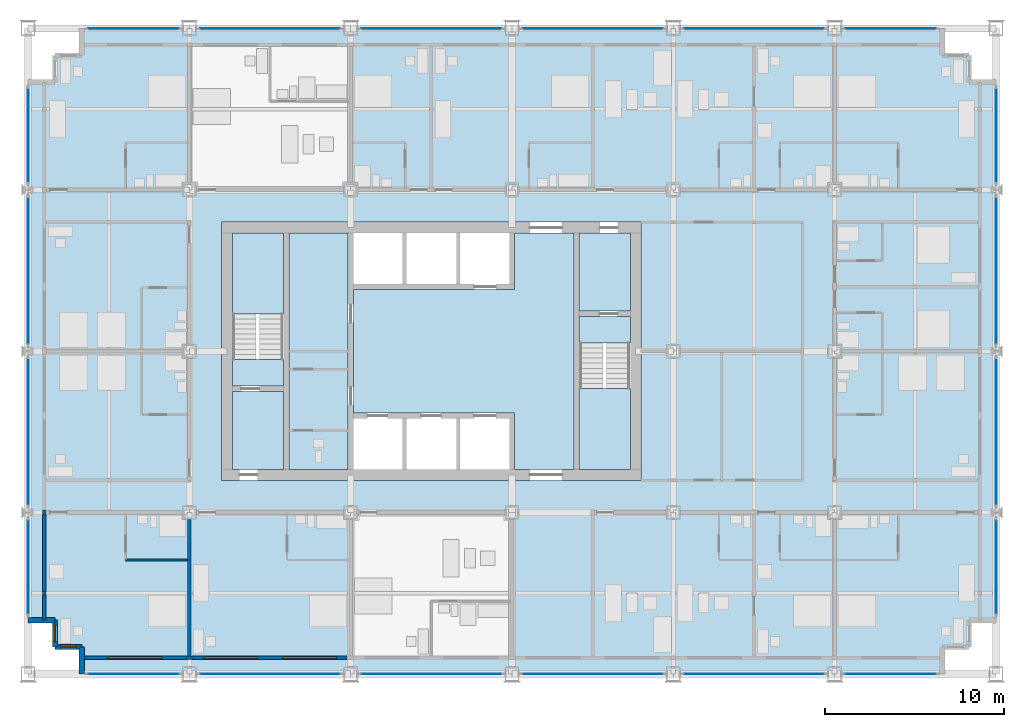
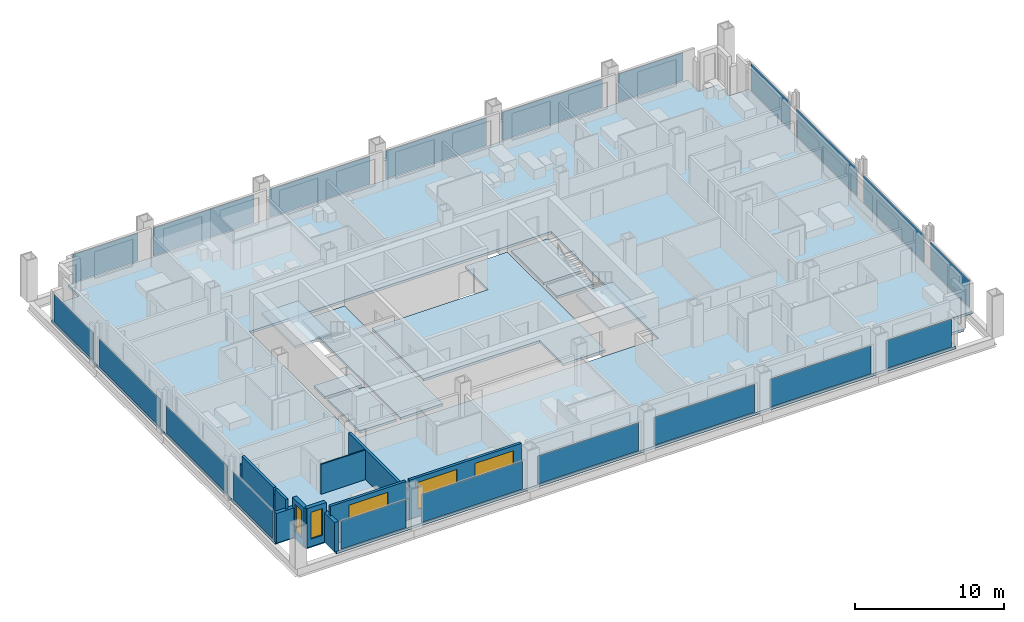
# One storey, part 9 of 18: 20 plates, 13 walls, 9 slabs, 5 windows, 5 openings, 22 elements without a shape of their own.
"""IFC4 building model written with IfcOpenShell, lengths in metres."""

from ifc_helpers import new_model, si_unit, direction, frame, frame_2d, origin, origin_2d, place, context, subcontext, project, spatial, polyline, rectangle, outline, extrude, material, layer, layer_set, type_object, element, fill, aggregate, save


model = new_model("IFC4")

# Units and contexts
model_context = context("Model", 3, precision=1e-05, world=origin(), true_north=direction((0.0, 1.0)))
body_context = subcontext(model_context, "Body", "Model", "MODEL_VIEW")
ifc_project = project(units=[si_unit("LENGTHUNIT", "METRE"), si_unit("AREAUNIT", "SQUARE_METRE"), si_unit("VOLUMEUNIT", "CUBIC_METRE"), si_unit("PLANEANGLEUNIT", "RADIAN"), si_unit("MASSUNIT", "GRAM", prefix="KILO")], contexts=[model_context])

# Site, building, storey
site_placement = place(None, origin())
site = spatial("IfcSite", under=ifc_project, at=site_placement, CompositionType="ELEMENT")
building_placement = place(site_placement, origin())
building = spatial("IfcBuilding", under=site, at=building_placement, Name="Loomwork Tower", CompositionType="ELEMENT")
storey_placement = place(building_placement, frame((0.0, 0.0, 75.60009765625)))
storey = spatial("IfcBuildingStorey", under=building, at=storey_placement, Name="L19", CompositionType="ELEMENT", Elevation=75.60009765625)

# Slabs
ifc_material_1 = material(Name="Concrete 5000 psi (34 MPa) on composite metal deck", Category="concrete")
ifc_layer_1 = layer(ifc_material_1, 0.199951171875)
ifc_layer_set_1 = layer_set([ifc_layer_1], Name="Floor slab 200")
slab_type_1 = type_object("IfcSlabType", Name="Floor slab 200", PredefinedType="FLOOR", material=ifc_layer_set_1)
slab_1_placement = place(storey_placement, frame((0.0, 0.0, -0.2001953125)))
element("IfcSlab", 1, at=slab_1_placement, inside=storey, type_object=slab_type_1, Name="Floor slab L19", PredefinedType="FLOOR", context=body_context, shape_type="SweptSolid", body=[
    extrude(outline(polyline([(3.0, 1.5), (1.5, 1.5), (1.5, 3.0), (0.0, 3.0), (0.0, 33.0), (1.5, 33.0), (1.5, 34.5), (3.0, 34.5), (3.0, 36.0), (51.0, 36.0), (51.0, 34.5), (52.5, 34.5), (52.5, 33.0), (54.0, 33.0), (54.0, 3.0), (52.5, 3.0), (52.5, 1.5), (51.0, 1.5), (51.0, 0.0), (3.0, 0.0), (3.0, 1.5)]), holes=[polyline([(10.800048828125, 11.39990234375), (10.800048828125, 11.39990234375), (10.800048828125, 10.800048828125), (34.199951171875, 10.800048828125), (34.199951171875, 11.39990234375), (34.199951171875, 11.39990234375), (34.199951171875, 24.60009765625), (34.199951171875, 25.199951171875), (10.800048828125, 25.199951171875), (10.800048828125, 24.60009765625), (10.800048828125, 11.39990234375)])]), origin(), (0.0, 0.0, 1.0), 0.2001953125),
])
slab_2_placement = place(storey_placement, frame((0.0, 0.0, -0.2001953125)))
element("IfcSlab", 2, at=slab_2_placement, inside=storey, type_object=slab_type_1, Name="Floor slab L19", PredefinedType="FLOOR", context=body_context, shape_type="SweptSolid", body=[
    extrude(outline(polyline([(30.449951171875, 24.60009765625), (30.449951171875, 11.39990234375), (27.14990234375, 11.39990234375), (27.14990234375, 14.25), (27.14990234375, 14.550048828125), (18.14990234375, 14.550048828125), (18.14990234375, 21.449951171875), (27.14990234375, 21.449951171875), (27.14990234375, 21.75), (27.14990234375, 24.60009765625), (30.449951171875, 24.60009765625)])), origin(), (0.0, 0.0, 1.0), 0.2001953125),
])
slab_3_placement = place(storey_placement, frame((0.0, 0.0, -0.2001953125)))
element("IfcSlab", 3, at=slab_3_placement, inside=storey, type_object=slab_type_1, Name="Floor slab L19", PredefinedType="FLOOR", context=body_context, shape_type="SweptSolid", body=[
    extrude(outline(polyline([(14.550048828125, 11.39990234375), (14.550048828125, 24.60009765625), (17.85009765625, 24.60009765625), (17.85009765625, 11.39990234375), (14.550048828125, 11.39990234375)])), origin(), (0.0, 0.0, 1.0), 0.2001953125),
])
slab_4_placement = place(storey_placement, frame((0.0, 0.0, -0.2001953125)))
element("IfcSlab", 4, at=slab_4_placement, inside=storey, type_object=slab_type_1, Name="Floor slab L19", PredefinedType="FLOOR", context=body_context, shape_type="SweptSolid", body=[
    extrude(outline(polyline([(33.60009765625, 20.25), (30.75, 20.25), (30.75, 24.60009765625), (33.60009765625, 24.60009765625), (33.60009765625, 20.25)])), origin(), (0.0, 0.0, 1.0), 0.2001953125),
])
slab_5_placement = place(storey_placement, frame((0.0, 0.0, -0.2001953125)))
element("IfcSlab", 5, at=slab_5_placement, inside=storey, type_object=slab_type_1, Name="Floor slab L19", PredefinedType="FLOOR", context=body_context, shape_type="SweptSolid", body=[
    extrude(outline(polyline([(14.25, 15.75), (14.25, 11.39990234375), (11.39990234375, 11.39990234375), (11.39990234375, 15.75), (14.25, 15.75)])), origin(), (0.0, 0.0, 1.0), 0.2001953125),
])

# Curtain wall, plate
ifc_material_2 = material(Name="Aluminium curtain wall frame", Category="aluminium")
curtain_wall_type = type_object("IfcCurtainWallType", Name="Outer skin glazing hotel", PredefinedType="NOTDEFINED", material=ifc_material_2)
curtain_wall_1_placement = place(storey_placement, origin())
curtain_wall_1 = element("IfcCurtainWall", 6, at=curtain_wall_1_placement, inside=storey, type_object=curtain_wall_type, Name="Outer skin glazing hotel cw/S-0", PredefinedType="NOTDEFINED")
ifc_material_3 = material(Name="Clear laminated glass", Category="glass")
ifc_layer_2 = layer(ifc_material_3, 0.02392578125)
ifc_layer_set_2 = layer_set([ifc_layer_2], Name="Outer skin glazing hotel panel")
plate_type = type_object("IfcPlateType", Name="Outer skin glazing hotel panel", PredefinedType="CURTAIN_PANEL", material=ifc_layer_set_2)
plate_1_placement = place(storey_placement, frame((5.875, 0.0, 0.06494140625), z_axis=(0.0, 0.0, 1.0), x_axis=(1.0, 0.0, 0.0)))
plate_1 = element("IfcPlate", 7, at=plate_1_placement, type_object=plate_type, Name="CW1 panel 1.1", PredefinedType="CURTAIN_PANEL", context=body_context, shape_type="SweptSolid", body=[
    extrude(rectangle(XDim=5.050048828125, YDim=0.02392578125, at=origin_2d()), origin(), (0.0, 0.0, 1.0), 2.290283203125),
])
aggregate(curtain_wall_1, [plate_1])

curtain_wall_2_placement = place(storey_placement, origin())
curtain_wall_2 = element("IfcCurtainWall", 8, at=curtain_wall_2_placement, inside=storey, type_object=curtain_wall_type, Name="Outer skin glazing hotel cw/S-9", PredefinedType="NOTDEFINED")
plate_2_placement = place(storey_placement, frame((13.5, 0.0, 0.06494140625), z_axis=(0.0, 0.0, 1.0), x_axis=(1.0, 0.0, 0.0)))
plate_2 = element("IfcPlate", 9, at=plate_2_placement, type_object=plate_type, Name="CW1 panel 1.1", PredefinedType="CURTAIN_PANEL", context=body_context, shape_type="SweptSolid", body=[
    extrude(rectangle(XDim=7.800048828125, YDim=0.02392578125, at=origin_2d()), origin(), (0.0, 0.0, 1.0), 2.290283203125),
])
aggregate(curtain_wall_2, [plate_2])

curtain_wall_3_placement = place(storey_placement, origin())
curtain_wall_3 = element("IfcCurtainWall", 10, at=curtain_wall_3_placement, inside=storey, type_object=curtain_wall_type, Name="Outer skin glazing hotel cw/S-18", PredefinedType="NOTDEFINED")
plate_3_placement = place(storey_placement, frame((22.5, 0.0, 0.06494140625), z_axis=(0.0, 0.0, 1.0), x_axis=(1.0, 0.0, 0.0)))
plate_3 = element("IfcPlate", 11, at=plate_3_placement, type_object=plate_type, Name="CW1 panel 1.1", PredefinedType="CURTAIN_PANEL", context=body_context, shape_type="SweptSolid", body=[
    extrude(rectangle(XDim=7.800048828125, YDim=0.02392578125, at=origin_2d()), origin(), (0.0, 0.0, 1.0), 2.290283203125),
])
aggregate(curtain_wall_3, [plate_3])

curtain_wall_4_placement = place(storey_placement, origin())
curtain_wall_4 = element("IfcCurtainWall", 12, at=curtain_wall_4_placement, inside=storey, type_object=curtain_wall_type, Name="Outer skin glazing hotel cw/S-27", PredefinedType="NOTDEFINED")
plate_4_placement = place(storey_placement, frame((31.5, 0.0, 0.06494140625), z_axis=(0.0, 0.0, 1.0), x_axis=(1.0, 0.0, 0.0)))
plate_4 = element("IfcPlate", 13, at=plate_4_placement, type_object=plate_type, Name="CW1 panel 1.1", PredefinedType="CURTAIN_PANEL", context=body_context, shape_type="SweptSolid", body=[
    extrude(rectangle(XDim=7.800048828125, YDim=0.02392578125, at=origin_2d()), origin(), (0.0, 0.0, 1.0), 2.290283203125),
])
aggregate(curtain_wall_4, [plate_4])

curtain_wall_5_placement = place(storey_placement, origin())
curtain_wall_5 = element("IfcCurtainWall", 14, at=curtain_wall_5_placement, inside=storey, type_object=curtain_wall_type, Name="Outer skin glazing hotel cw/S-36", PredefinedType="NOTDEFINED")
plate_5_placement = place(storey_placement, frame((40.5, 0.0, 0.06494140625), z_axis=(0.0, 0.0, 1.0), x_axis=(1.0, 0.0, 0.0)))
plate_5 = element("IfcPlate", 15, at=plate_5_placement, type_object=plate_type, Name="CW1 panel 1.1", PredefinedType="CURTAIN_PANEL", context=body_context, shape_type="SweptSolid", body=[
    extrude(rectangle(XDim=7.800048828125, YDim=0.02392578125, at=origin_2d()), origin(), (0.0, 0.0, 1.0), 2.290283203125),
])
aggregate(curtain_wall_5, [plate_5])

curtain_wall_6_placement = place(storey_placement, origin())
curtain_wall_6 = element("IfcCurtainWall", 16, at=curtain_wall_6_placement, inside=storey, type_object=curtain_wall_type, Name="Outer skin glazing hotel cw/S-45", PredefinedType="NOTDEFINED")
plate_6_placement = place(storey_placement, frame((48.125, 0.0, 0.06494140625), z_axis=(0.0, 0.0, 1.0), x_axis=(1.0, 0.0, 0.0)))
plate_6 = element("IfcPlate", 17, at=plate_6_placement, type_object=plate_type, Name="CW1 panel 1.1", PredefinedType="CURTAIN_PANEL", context=body_context, shape_type="SweptSolid", body=[
    extrude(rectangle(XDim=5.050048828125, YDim=0.02392578125, at=origin_2d()), origin(), (0.0, 0.0, 1.0), 2.290283203125),
])
aggregate(curtain_wall_6, [plate_6])

curtain_wall_7_placement = place(storey_placement, origin())
curtain_wall_7 = element("IfcCurtainWall", 18, at=curtain_wall_7_placement, inside=storey, type_object=curtain_wall_type, Name="Outer skin glazing hotel cw/N-0", PredefinedType="NOTDEFINED")
plate_7_placement = place(storey_placement, frame((5.875, 36.0, 0.06494140625), z_axis=(0.0, 0.0, 1.0), x_axis=(-1.0, 0.0, 0.0)))
plate_7 = element("IfcPlate", 19, at=plate_7_placement, type_object=plate_type, Name="CW1 panel 1.1", PredefinedType="CURTAIN_PANEL", context=body_context, shape_type="SweptSolid", body=[
    extrude(rectangle(XDim=5.050048828125, YDim=0.02392578125, at=origin_2d()), origin(), (0.0, 0.0, 1.0), 2.290283203125),
])
aggregate(curtain_wall_7, [plate_7])

curtain_wall_8_placement = place(storey_placement, origin())
curtain_wall_8 = element("IfcCurtainWall", 20, at=curtain_wall_8_placement, inside=storey, type_object=curtain_wall_type, Name="Outer skin glazing hotel cw/N-9", PredefinedType="NOTDEFINED")
plate_8_placement = place(storey_placement, frame((13.5, 36.0, 0.06494140625), z_axis=(0.0, 0.0, 1.0), x_axis=(-1.0, 0.0, 0.0)))
plate_8 = element("IfcPlate", 21, at=plate_8_placement, type_object=plate_type, Name="CW1 panel 1.1", PredefinedType="CURTAIN_PANEL", context=body_context, shape_type="SweptSolid", body=[
    extrude(rectangle(XDim=7.800048828125, YDim=0.02392578125, at=origin_2d()), origin(), (0.0, 0.0, 1.0), 2.290283203125),
])
aggregate(curtain_wall_8, [plate_8])

curtain_wall_9_placement = place(storey_placement, origin())
curtain_wall_9 = element("IfcCurtainWall", 22, at=curtain_wall_9_placement, inside=storey, type_object=curtain_wall_type, Name="Outer skin glazing hotel cw/N-18", PredefinedType="NOTDEFINED")
plate_9_placement = place(storey_placement, frame((22.5, 36.0, 0.06494140625), z_axis=(0.0, 0.0, 1.0), x_axis=(-1.0, 0.0, 0.0)))
plate_9 = element("IfcPlate", 23, at=plate_9_placement, type_object=plate_type, Name="CW1 panel 1.1", PredefinedType="CURTAIN_PANEL", context=body_context, shape_type="SweptSolid", body=[
    extrude(rectangle(XDim=7.800048828125, YDim=0.02392578125, at=origin_2d()), origin(), (0.0, 0.0, 1.0), 2.290283203125),
])
aggregate(curtain_wall_9, [plate_9])

curtain_wall_10_placement = place(storey_placement, origin())
curtain_wall_10 = element("IfcCurtainWall", 24, at=curtain_wall_10_placement, inside=storey, type_object=curtain_wall_type, Name="Outer skin glazing hotel cw/N-27", PredefinedType="NOTDEFINED")
plate_10_placement = place(storey_placement, frame((31.5, 36.0, 0.06494140625), z_axis=(0.0, 0.0, 1.0), x_axis=(-1.0, 0.0, 0.0)))
plate_10 = element("IfcPlate", 25, at=plate_10_placement, type_object=plate_type, Name="CW1 panel 1.1", PredefinedType="CURTAIN_PANEL", context=body_context, shape_type="SweptSolid", body=[
    extrude(rectangle(XDim=7.800048828125, YDim=0.02392578125, at=origin_2d()), origin(), (0.0, 0.0, 1.0), 2.290283203125),
])
aggregate(curtain_wall_10, [plate_10])

curtain_wall_11_placement = place(storey_placement, origin())
curtain_wall_11 = element("IfcCurtainWall", 26, at=curtain_wall_11_placement, inside=storey, type_object=curtain_wall_type, Name="Outer skin glazing hotel cw/N-36", PredefinedType="NOTDEFINED")
plate_11_placement = place(storey_placement, frame((40.5, 36.0, 0.06494140625), z_axis=(0.0, 0.0, 1.0), x_axis=(-1.0, 0.0, 0.0)))
plate_11 = element("IfcPlate", 27, at=plate_11_placement, type_object=plate_type, Name="CW1 panel 1.1", PredefinedType="CURTAIN_PANEL", context=body_context, shape_type="SweptSolid", body=[
    extrude(rectangle(XDim=7.800048828125, YDim=0.02392578125, at=origin_2d()), origin(), (0.0, 0.0, 1.0), 2.290283203125),
])
aggregate(curtain_wall_11, [plate_11])

curtain_wall_12_placement = place(storey_placement, origin())
curtain_wall_12 = element("IfcCurtainWall", 28, at=curtain_wall_12_placement, inside=storey, type_object=curtain_wall_type, Name="Outer skin glazing hotel cw/N-45", PredefinedType="NOTDEFINED")
plate_12_placement = place(storey_placement, frame((48.125, 36.0, 0.06494140625), z_axis=(0.0, 0.0, 1.0), x_axis=(-1.0, 0.0, 0.0)))
plate_12 = element("IfcPlate", 29, at=plate_12_placement, type_object=plate_type, Name="CW1 panel 1.1", PredefinedType="CURTAIN_PANEL", context=body_context, shape_type="SweptSolid", body=[
    extrude(rectangle(XDim=5.050048828125, YDim=0.02392578125, at=origin_2d()), origin(), (0.0, 0.0, 1.0), 2.290283203125),
])
aggregate(curtain_wall_12, [plate_12])

curtain_wall_13_placement = place(storey_placement, origin())
curtain_wall_13 = element("IfcCurtainWall", 30, at=curtain_wall_13_placement, inside=storey, type_object=curtain_wall_type, Name="Outer skin glazing hotel cw/W-0", PredefinedType="NOTDEFINED")
plate_13_placement = place(storey_placement, frame((0.0, 5.96142578125, 0.06494140625), z_axis=(0.0, 0.0, 1.0), x_axis=(0.0, -1.0, 0.0)))
plate_13 = element("IfcPlate", 31, at=plate_13_placement, type_object=plate_type, Name="CW1 panel 1.1", PredefinedType="CURTAIN_PANEL", context=body_context, shape_type="SweptSolid", body=[
    extrude(rectangle(XDim=5.22265625, YDim=0.02392578125, at=origin_2d()), origin(), (0.0, 0.0, 1.0), 2.290283203125),
])
aggregate(curtain_wall_13, [plate_13])

curtain_wall_14_placement = place(storey_placement, origin())
curtain_wall_14 = element("IfcCurtainWall", 32, at=curtain_wall_14_placement, inside=storey, type_object=curtain_wall_type, Name="Outer skin glazing hotel cw/W-9", PredefinedType="NOTDEFINED")
plate_14_placement = place(storey_placement, frame((0.0, 13.5, 0.06494140625), z_axis=(0.0, 0.0, 1.0), x_axis=(0.0, -1.0, 0.0)))
plate_14 = element("IfcPlate", 33, at=plate_14_placement, type_object=plate_type, Name="CW1 panel 1.1", PredefinedType="CURTAIN_PANEL", context=body_context, shape_type="SweptSolid", body=[
    extrude(rectangle(XDim=8.1455078125, YDim=0.02392578125, at=origin_2d()), origin(), (0.0, 0.0, 1.0), 2.290283203125),
])
aggregate(curtain_wall_14, [plate_14])

curtain_wall_15_placement = place(storey_placement, origin())
curtain_wall_15 = element("IfcCurtainWall", 34, at=curtain_wall_15_placement, inside=storey, type_object=curtain_wall_type, Name="Outer skin glazing hotel cw/W-18", PredefinedType="NOTDEFINED")
plate_15_placement = place(storey_placement, frame((0.0, 22.5, 0.06494140625), z_axis=(0.0, 0.0, 1.0), x_axis=(0.0, -1.0, 0.0)))
plate_15 = element("IfcPlate", 35, at=plate_15_placement, type_object=plate_type, Name="CW1 panel 1.1", PredefinedType="CURTAIN_PANEL", context=body_context, shape_type="SweptSolid", body=[
    extrude(rectangle(XDim=8.1455078125, YDim=0.02392578125, at=origin_2d()), origin(), (0.0, 0.0, 1.0), 2.290283203125),
])
aggregate(curtain_wall_15, [plate_15])

curtain_wall_16_placement = place(storey_placement, origin())
curtain_wall_16 = element("IfcCurtainWall", 36, at=curtain_wall_16_placement, inside=storey, type_object=curtain_wall_type, Name="Outer skin glazing hotel cw/W-27", PredefinedType="NOTDEFINED")
plate_16_placement = place(storey_placement, frame((0.0, 30.03857421875, 0.06494140625), z_axis=(0.0, 0.0, 1.0), x_axis=(0.0, -1.0, 0.0)))
plate_16 = element("IfcPlate", 37, at=plate_16_placement, type_object=plate_type, Name="CW1 panel 1.1", PredefinedType="CURTAIN_PANEL", context=body_context, shape_type="SweptSolid", body=[
    extrude(rectangle(XDim=5.22265625, YDim=0.02392578125, at=origin_2d()), origin(), (0.0, 0.0, 1.0), 2.290283203125),
])
aggregate(curtain_wall_16, [plate_16])

curtain_wall_17_placement = place(storey_placement, origin())
curtain_wall_17 = element("IfcCurtainWall", 38, at=curtain_wall_17_placement, inside=storey, type_object=curtain_wall_type, Name="Outer skin glazing hotel cw/E-0", PredefinedType="NOTDEFINED")
plate_17_placement = place(storey_placement, frame((54.0, 5.96142578125, 0.06494140625), z_axis=(0.0, 0.0, 1.0), x_axis=(0.0, 1.0, 0.0)))
plate_17 = element("IfcPlate", 39, at=plate_17_placement, type_object=plate_type, Name="CW1 panel 1.1", PredefinedType="CURTAIN_PANEL", context=body_context, shape_type="SweptSolid", body=[
    extrude(rectangle(XDim=5.22265625, YDim=0.02392578125, at=origin_2d()), origin(), (0.0, 0.0, 1.0), 2.290283203125),
])
aggregate(curtain_wall_17, [plate_17])

curtain_wall_18_placement = place(storey_placement, origin())
curtain_wall_18 = element("IfcCurtainWall", 40, at=curtain_wall_18_placement, inside=storey, type_object=curtain_wall_type, Name="Outer skin glazing hotel cw/E-9", PredefinedType="NOTDEFINED")
plate_18_placement = place(storey_placement, frame((54.0, 13.5, 0.06494140625), z_axis=(0.0, 0.0, 1.0), x_axis=(0.0, 1.0, 0.0)))
plate_18 = element("IfcPlate", 41, at=plate_18_placement, type_object=plate_type, Name="CW1 panel 1.1", PredefinedType="CURTAIN_PANEL", context=body_context, shape_type="SweptSolid", body=[
    extrude(rectangle(XDim=8.1455078125, YDim=0.02392578125, at=origin_2d()), origin(), (0.0, 0.0, 1.0), 2.290283203125),
])
aggregate(curtain_wall_18, [plate_18])

curtain_wall_19_placement = place(storey_placement, origin())
curtain_wall_19 = element("IfcCurtainWall", 42, at=curtain_wall_19_placement, inside=storey, type_object=curtain_wall_type, Name="Outer skin glazing hotel cw/E-18", PredefinedType="NOTDEFINED")
plate_19_placement = place(storey_placement, frame((54.0, 22.5, 0.06494140625), z_axis=(0.0, 0.0, 1.0), x_axis=(0.0, 1.0, 0.0)))
plate_19 = element("IfcPlate", 43, at=plate_19_placement, type_object=plate_type, Name="CW1 panel 1.1", PredefinedType="CURTAIN_PANEL", context=body_context, shape_type="SweptSolid", body=[
    extrude(rectangle(XDim=8.1455078125, YDim=0.02392578125, at=origin_2d()), origin(), (0.0, 0.0, 1.0), 2.290283203125),
])
aggregate(curtain_wall_19, [plate_19])

curtain_wall_20_placement = place(storey_placement, origin())
curtain_wall_20 = element("IfcCurtainWall", 44, at=curtain_wall_20_placement, inside=storey, type_object=curtain_wall_type, Name="Outer skin glazing hotel cw/E-27", PredefinedType="NOTDEFINED")
plate_20_placement = place(storey_placement, frame((54.0, 30.03857421875, 0.06494140625), z_axis=(0.0, 0.0, 1.0), x_axis=(0.0, 1.0, 0.0)))
plate_20 = element("IfcPlate", 45, at=plate_20_placement, type_object=plate_type, Name="CW1 panel 1.1", PredefinedType="CURTAIN_PANEL", context=body_context, shape_type="SweptSolid", body=[
    extrude(rectangle(XDim=5.22265625, YDim=0.02392578125, at=origin_2d()), origin(), (0.0, 0.0, 1.0), 2.290283203125),
])
aggregate(curtain_wall_20, [plate_20])

# Stair, slabs
ifc_material_4 = material(Name="Concrete 5000 psi (34 MPa) precast stair", Category="concrete")
stair_type_1 = type_object("IfcStairType", Name="Stair ST-A 20 risers 2850 wide", PredefinedType="HALF_TURN_STAIR", material=ifc_material_4)
stair_1_placement = place(storey_placement, origin())
stair_1 = element("IfcStair", 46, at=stair_1_placement, inside=storey, type_object=stair_type_1, Name="Stair A L19", PredefinedType="HALF_TURN_STAIR")
ifc_material_5 = material(Name="Concrete 5000 psi (34 MPa)", Category="concrete")
ifc_layer_3 = layer(ifc_material_5, 0.199951171875)
ifc_layer_set_3 = layer_set([ifc_layer_3], Name="Stair landing 200")
slab_type_2 = type_object("IfcSlabType", Name="Stair landing 200", PredefinedType="LANDING", material=ifc_layer_set_3)
slab_6_placement = place(storey_placement, frame((0.0, 0.0, -0.2001953125)))
slab_6 = element("IfcSlab", 47, at=slab_6_placement, type_object=slab_type_2, Name="ST-A landing 1", PredefinedType="LANDING", context=body_context, shape_type="SweptSolid", body=[
    extrude(outline(polyline([(11.39990234375, 16.050048828125), (14.25, 16.050048828125), (14.25, 17.550048828125), (11.39990234375, 17.550048828125), (11.39990234375, 16.050048828125)])), origin(), (0.0, 0.0, 1.0), 0.2001953125),
])
slab_7_placement = place(storey_placement, frame((0.0, 0.0, 1.5)))
slab_7 = element("IfcSlab", 48, at=slab_7_placement, type_object=slab_type_2, Name="ST-A landing 2", PredefinedType="LANDING", context=body_context, shape_type="SweptSolid", body=[
    extrude(outline(polyline([(11.39990234375, 20.070068359375), (14.25, 20.070068359375), (14.25, 24.60009765625), (11.39990234375, 24.60009765625), (11.39990234375, 20.070068359375)])), origin(), (0.0, 0.0, 1.0), 0.199951171875),
])
aggregate(stair_1, [slab_6, slab_7])

ifc_material_6 = material(Name="Concrete 5000 psi (34 MPa) precast stair", Category="concrete")
stair_type_2 = type_object("IfcStairType", Name="Stair ST-B 20 risers 2850 wide", PredefinedType="HALF_TURN_STAIR", material=ifc_material_6)
stair_2_placement = place(storey_placement, origin())
stair_2 = element("IfcStair", 49, at=stair_2_placement, inside=storey, type_object=stair_type_2, Name="Stair B L19", PredefinedType="HALF_TURN_STAIR")
slab_8_placement = place(storey_placement, frame((0.0, 0.0, -0.2001953125)))
slab_8 = element("IfcSlab", 50, at=slab_8_placement, type_object=slab_type_2, Name="ST-B landing 1", PredefinedType="LANDING", context=body_context, shape_type="SweptSolid", body=[
    extrude(outline(polyline([(30.75, 18.449951171875), (33.60009765625, 18.449951171875), (33.60009765625, 19.949951171875), (30.75, 19.949951171875), (30.75, 18.449951171875)])), origin(), (0.0, 0.0, 1.0), 0.2001953125),
])
slab_9_placement = place(storey_placement, frame((0.0, 0.0, 1.5)))
slab_9 = element("IfcSlab", 51, at=slab_9_placement, type_object=slab_type_2, Name="ST-B landing 2", PredefinedType="LANDING", context=body_context, shape_type="SweptSolid", body=[
    extrude(outline(polyline([(30.75, 11.39990234375), (33.60009765625, 11.39990234375), (33.60009765625, 15.929931640625), (30.75, 15.929931640625), (30.75, 11.39990234375)])), origin(), (0.0, 0.0, 1.0), 0.199951171875),
])
aggregate(stair_2, [slab_8, slab_9])

# Walls
ifc_material_7 = material(Name="Cement board on steel studs", Category="steel")
ifc_layer_4 = layer(ifc_material_7, 0.10009765625)
ifc_layer_set_4 = layer_set([ifc_layer_4], Name="En-suite partition 100")
wall_type_1 = type_object("IfcWallType", Name="En-suite partition 100", PredefinedType="PARTITIONING", material=ifc_layer_set_4)
wall_1_placement = place(storey_placement, frame((5.449951171875, 6.35009765625, 0.0), z_axis=(0.0, 0.0, 1.0), x_axis=(1.0, 0.0, 0.0)))
element("IfcWall", 52, at=wall_1_placement, inside=storey, type_object=wall_type_1, Name="En-suite wall L19 room 1", PredefinedType="PARTITIONING", context=body_context, shape_type="SweptSolid", body=[
    extrude(rectangle(XDim=3.449951171875, YDim=0.10009765625, at=frame_2d((1.72509765625, 0.0))), origin(), (0.0, 0.0, 1.0), 2.43798828125),
])
ifc_material_8 = material(Name="Gypsum board on steel studs, acoustic", Category="steel")
ifc_layer_5 = layer(ifc_material_8, 0.199951171875)
ifc_layer_set_5 = layer_set([ifc_layer_5], Name="Guest room party wall 200")
wall_type_2 = type_object("IfcWallType", Name="Guest room party wall 200", PredefinedType="PARTITIONING", material=ifc_layer_set_5)
wall_2_placement = place(storey_placement, frame((9.0, 8.60009765625, 0.0), z_axis=(0.0, 0.0, 1.0), x_axis=(0.0, -1.0, 0.0)))
element("IfcWall", 53, at=wall_2_placement, inside=storey, type_object=wall_type_2, Name="Guest room party wall S 9", PredefinedType="PARTITIONING", context=body_context, shape_type="SweptSolid", body=[
    extrude(rectangle(XDim=7.60009765625, YDim=0.199951171875, at=frame_2d((3.800048828125, 0.0))), origin(), (0.0, 0.0, 1.0), 2.43798828125),
])

# Wall, opening, window
ifc_material_9 = material(Name="Insulated steel stud wall with gypsum lining", Category="steel")
ifc_layer_6 = layer(ifc_material_9, 0.199951171875)
ifc_layer_set_6 = layer_set([ifc_layer_6], Name="Inner skin wall 200")
wall_type_3 = type_object("IfcWallType", Name="Inner skin wall 200", PredefinedType="SOLIDWALL", material=ifc_layer_set_6)
wall_3_placement = place(storey_placement, frame((3.0, 0.89990234375, 0.0), z_axis=(0.0, 0.0, 1.0), x_axis=(1.0, 0.0, 0.0)))
wall_3 = element("IfcWall", 54, at=wall_3_placement, inside=storey, type_object=wall_type_3, Name="Inner skin wall S", PredefinedType="SOLIDWALL", context=body_context, shape_type="SweptSolid", body=[
    extrude(rectangle(XDim=5.86474609375, YDim=0.199951171875, at=frame_2d((2.932373046875, 0.0))), origin(), (0.0, 0.0, 1.0), 3.199951171875),
])
opening_1_placement = place(wall_3_placement, frame((1.449951171875, 0.0, 0.60009765625)))
opening_1 = element("IfcOpeningElement", 55, at=opening_1_placement, cuts=wall_3, Name="Opening CH1", PredefinedType="OPENING", context=body_context, shape_type="SweptSolid", body=[
    extrude(rectangle(XDim=3.0, YDim=2.199951171875, at=frame_2d((1.5, 1.10009765625))), frame((0.0, 0.10986328125, 0.0), z_axis=(0.0, -1.0, 0.0), x_axis=(1.0, 0.0, 0.0)), (0.0, 0.0, 1.0), 0.219970703125),
])
ifc_material_10 = material(Name="Aluminium frame with clear insulated glass", Category="aluminium")
window_type_1 = type_object("IfcWindowType", Name="Chicago window 3000", PartitioningType="TRIPLE_PANEL_VERTICAL", PredefinedType="WINDOW", material=ifc_material_10)
window_1_placement = place(opening_1_placement, origin())
window_1 = element("IfcWindow", 56, at=window_1_placement, inside=storey, type_object=window_type_1, Name="Chicago window L19 bay 1", OverallHeight=2.199951171875, OverallWidth=3.0, PartitioningType="TRIPLE_PANEL_VERTICAL", PredefinedType="WINDOW", context=body_context, shape_type="SweptSolid", body=[
    extrude(rectangle(XDim=3.0, YDim=2.199951171875, at=frame_2d((1.5, 1.10009765625))), frame((0.0, 0.030029296875, 0.0), z_axis=(0.0, -1.0, 0.0), x_axis=(1.0, 0.0, 0.0)), (0.0, 0.0, 1.0), 0.06005859375),
])
fill(opening_1, window_1)

# Walls
wall_4_placement = place(storey_placement, frame((0.89990234375, 3.0, 0.0), z_axis=(0.0, 0.0, 1.0), x_axis=(0.0, 1.0, 0.0)))
element("IfcWall", 57, at=wall_4_placement, inside=storey, type_object=wall_type_3, Name="Inner skin wall W", PredefinedType="SOLIDWALL", context=body_context, shape_type="SweptSolid", body=[
    extrude(rectangle(XDim=1.392578125, YDim=0.199951171875, at=frame_2d((0.6962890625, 0.0))), origin(), (0.0, 0.0, 1.0), 3.199951171875),
])
wall_5_placement = place(storey_placement, frame((8.86474609375, 0.89990234375, 0.0), z_axis=(0.0, 0.0, 1.0), x_axis=(1.0, 0.0, 0.0)))
element("IfcWall", 58, at=wall_5_placement, inside=storey, type_object=wall_type_3, Name="Inner skin wall S bay 2", PredefinedType="SOLIDWALL", context=body_context, shape_type="SweptSolid", body=[
    extrude(rectangle(XDim=0.2705078125, YDim=0.199951171875, at=frame_2d((0.13525390625, 0.0))), origin(), (0.0, 0.0, 1.0), 2.43798828125),
])

# Wall, openings, windows
wall_6_placement = place(storey_placement, frame((9.13525390625, 0.89990234375, 0.0), z_axis=(0.0, 0.0, 1.0), x_axis=(1.0, 0.0, 0.0)))
wall_6 = element("IfcWall", 59, at=wall_6_placement, inside=storey, type_object=wall_type_3, Name="Inner skin wall S bay 3", PredefinedType="SOLIDWALL", context=body_context, shape_type="SweptSolid", body=[
    extrude(rectangle(XDim=8.6708984375, YDim=0.199951171875, at=frame_2d((4.33544921875, 0.0))), origin(), (0.0, 0.0, 1.0), 3.199951171875),
])
opening_2_placement = place(wall_6_placement, frame((0.664794921875, 0.0, 0.60009765625)))
opening_2 = element("IfcOpeningElement", 60, at=opening_2_placement, cuts=wall_6, Name="Opening CH1", PredefinedType="OPENING", context=body_context, shape_type="SweptSolid", body=[
    extrude(rectangle(XDim=3.0, YDim=2.199951171875, at=frame_2d((1.5, 1.10009765625))), frame((0.0, 0.10986328125, 0.0), z_axis=(0.0, -1.0, 0.0), x_axis=(1.0, 0.0, 0.0)), (0.0, 0.0, 1.0), 0.219970703125),
])
opening_3_placement = place(wall_6_placement, frame((5.064697265625, 0.0, 0.60009765625)))
opening_3 = element("IfcOpeningElement", 61, at=opening_3_placement, cuts=wall_6, Name="Opening CH1", PredefinedType="OPENING", context=body_context, shape_type="SweptSolid", body=[
    extrude(rectangle(XDim=3.0, YDim=2.199951171875, at=frame_2d((1.5, 1.10009765625))), frame((0.0, 0.10986328125, 0.0), z_axis=(0.0, -1.0, 0.0), x_axis=(1.0, 0.0, 0.0)), (0.0, 0.0, 1.0), 0.219970703125),
])
window_2_placement = place(opening_2_placement, origin())
window_2 = element("IfcWindow", 62, at=window_2_placement, inside=storey, type_object=window_type_1, Name="Chicago window L19 bay 2", OverallHeight=2.199951171875, OverallWidth=3.0, PartitioningType="TRIPLE_PANEL_VERTICAL", PredefinedType="WINDOW", context=body_context, shape_type="SweptSolid", body=[
    extrude(rectangle(XDim=3.0, YDim=2.199951171875, at=frame_2d((1.5, 1.10009765625))), frame((0.0, 0.030029296875, 0.0), z_axis=(0.0, -1.0, 0.0), x_axis=(1.0, 0.0, 0.0)), (0.0, 0.0, 1.0), 0.06005859375),
])
fill(opening_2, window_2)
window_3_placement = place(opening_3_placement, origin())
window_3 = element("IfcWindow", 63, at=window_3_placement, inside=storey, type_object=window_type_1, Name="Chicago window L19 bay 2", OverallHeight=2.199951171875, OverallWidth=3.0, PartitioningType="TRIPLE_PANEL_VERTICAL", PredefinedType="WINDOW", context=body_context, shape_type="SweptSolid", body=[
    extrude(rectangle(XDim=3.0, YDim=2.199951171875, at=frame_2d((1.5, 1.10009765625))), frame((0.0, 0.030029296875, 0.0), z_axis=(0.0, -1.0, 0.0), x_axis=(1.0, 0.0, 0.0)), (0.0, 0.0, 1.0), 0.06005859375),
])
fill(opening_3, window_3)

# Walls
wall_7_placement = place(storey_placement, frame((0.89990234375, 4.392578125, 0.0), z_axis=(0.0, 0.0, 1.0), x_axis=(0.0, 1.0, 0.0)))
element("IfcWall", 64, at=wall_7_placement, inside=storey, type_object=wall_type_3, Name="Inner skin wall W bay 2", PredefinedType="SOLIDWALL", context=body_context, shape_type="SweptSolid", body=[
    extrude(rectangle(XDim=0.21484375, YDim=0.199951171875, at=frame_2d((0.107421875, 0.0))), origin(), (0.0, 0.0, 1.0), 2.660888671875),
])
wall_8_placement = place(storey_placement, frame((0.89990234375, 4.607421875, 0.0), z_axis=(0.0, 0.0, 1.0), x_axis=(0.0, 1.0, 0.0)))
element("IfcWall", 65, at=wall_8_placement, inside=storey, type_object=wall_type_3, Name="Inner skin wall W bay 3", PredefinedType="SOLIDWALL", context=body_context, shape_type="SweptSolid", body=[
    extrude(rectangle(XDim=4.25732421875, YDim=0.199951171875, at=frame_2d((2.128662109375, 0.0))), origin(), (0.0, 0.0, 1.0), 3.199951171875),
])
wall_9_placement = place(storey_placement, frame((0.89990234375, 8.86474609375, 0.0), z_axis=(0.0, 0.0, 1.0), x_axis=(0.0, 1.0, 0.0)))
element("IfcWall", 66, at=wall_9_placement, inside=storey, type_object=wall_type_3, Name="Inner skin wall W bay 4", PredefinedType="SOLIDWALL", context=body_context, shape_type="SweptSolid", body=[
    extrude(rectangle(XDim=0.2705078125, YDim=0.199951171875, at=frame_2d((0.13525390625, 0.0))), origin(), (0.0, 0.0, 1.0), 2.43798828125),
])
ifc_material_11 = material(Name="Limestone on concrete masonry", Category="masonry")
ifc_layer_7 = layer(ifc_material_11, 0.300048828125)
ifc_layer_set_7 = layer_set([ifc_layer_7], Name="Limestone corner wall 300")
wall_type_4 = type_object("IfcWallType", Name="Limestone corner wall 300", PredefinedType="SOLIDWALL", material=ifc_layer_set_7)
wall_10_placement = place(storey_placement, frame((0.0, 3.0, 0.0), z_axis=(0.0, 0.0, 1.0), x_axis=(1.0, 0.0, 0.0)))
element("IfcWall", 67, at=wall_10_placement, inside=storey, type_object=wall_type_4, Name="Stone corner wall SW 1", PredefinedType="SOLIDWALL", context=body_context, shape_type="SweptSolid", body=[
    extrude(rectangle(XDim=1.5, YDim=0.300048828125, at=frame_2d((0.75, 0.0))), origin(), (0.0, 0.0, 1.0), 2.419921875),
])

# Wall, opening, window
wall_11_placement = place(storey_placement, frame((1.5, 3.0, 0.0), z_axis=(0.0, 0.0, 1.0), x_axis=(0.0, -1.0, 0.0)))
wall_11 = element("IfcWall", 68, at=wall_11_placement, inside=storey, type_object=wall_type_4, Name="Stone corner wall SW 2", PredefinedType="SOLIDWALL", context=body_context, shape_type="SweptSolid", body=[
    extrude(rectangle(XDim=1.5, YDim=0.300048828125, at=frame_2d((0.75, 0.0))), origin(), (0.0, 0.0, 1.0), 3.199951171875),
])
opening_4_placement = place(wall_11_placement, frame((0.300048828125, 0.0, 0.60009765625)))
opening_4 = element("IfcOpeningElement", 69, at=opening_4_placement, cuts=wall_11, Name="Opening CH2", PredefinedType="OPENING", context=body_context, shape_type="SweptSolid", body=[
    extrude(rectangle(XDim=0.89990234375, YDim=2.199951171875, at=frame_2d((0.449951171875, 1.10009765625))), frame((0.0, 0.159912109375, 0.0), z_axis=(0.0, -1.0, 0.0), x_axis=(1.0, 0.0, 0.0)), (0.0, 0.0, 1.0), 0.320068359375),
])
ifc_material_12 = material(Name="Aluminium frame with clear insulated glass", Category="aluminium")
window_type_2 = type_object("IfcWindowType", Name="Corner window 900", PartitioningType="SINGLE_PANEL", PredefinedType="WINDOW", material=ifc_material_12)
window_4_placement = place(opening_4_placement, origin())
window_4 = element("IfcWindow", 70, at=window_4_placement, inside=storey, type_object=window_type_2, Name="Corner window SW", OverallHeight=2.199951171875, OverallWidth=0.89990234375, PartitioningType="SINGLE_PANEL", PredefinedType="WINDOW", context=body_context, shape_type="SweptSolid", body=[
    extrude(rectangle(XDim=0.89990234375, YDim=2.199951171875, at=frame_2d((0.449951171875, 1.10009765625))), frame((0.0, 0.030029296875, 0.0), z_axis=(0.0, -1.0, 0.0), x_axis=(1.0, 0.0, 0.0)), (0.0, 0.0, 1.0), 0.06005859375),
])
fill(opening_4, window_4)

wall_12_placement = place(storey_placement, frame((1.5, 1.5, 0.0), z_axis=(0.0, 0.0, 1.0), x_axis=(1.0, 0.0, 0.0)))
wall_12 = element("IfcWall", 71, at=wall_12_placement, inside=storey, type_object=wall_type_4, Name="Stone corner wall SW 3", PredefinedType="SOLIDWALL", context=body_context, shape_type="SweptSolid", body=[
    extrude(rectangle(XDim=1.5, YDim=0.300048828125, at=frame_2d((0.75, 0.0))), origin(), (0.0, 0.0, 1.0), 3.199951171875),
])
opening_5_placement = place(wall_12_placement, frame((0.300048828125, 0.0, 0.60009765625)))
opening_5 = element("IfcOpeningElement", 72, at=opening_5_placement, cuts=wall_12, Name="Opening CH2", PredefinedType="OPENING", context=body_context, shape_type="SweptSolid", body=[
    extrude(rectangle(XDim=0.89990234375, YDim=2.199951171875, at=frame_2d((0.449951171875, 1.10009765625))), frame((0.0, 0.159912109375, 0.0), z_axis=(0.0, -1.0, 0.0), x_axis=(1.0, 0.0, 0.0)), (0.0, 0.0, 1.0), 0.320068359375),
])
window_5_placement = place(opening_5_placement, origin())
window_5 = element("IfcWindow", 73, at=window_5_placement, inside=storey, type_object=window_type_2, Name="Corner window SW", OverallHeight=2.199951171875, OverallWidth=0.89990234375, PartitioningType="SINGLE_PANEL", PredefinedType="WINDOW", context=body_context, shape_type="SweptSolid", body=[
    extrude(rectangle(XDim=0.89990234375, YDim=2.199951171875, at=frame_2d((0.449951171875, 1.10009765625))), frame((0.0, 0.030029296875, 0.0), z_axis=(0.0, -1.0, 0.0), x_axis=(1.0, 0.0, 0.0)), (0.0, 0.0, 1.0), 0.06005859375),
])
fill(opening_5, window_5)

# Wall
wall_13_placement = place(storey_placement, frame((3.0, 1.5, 0.0), z_axis=(0.0, 0.0, 1.0), x_axis=(0.0, -1.0, 0.0)))
element("IfcWall", 74, at=wall_13_placement, inside=storey, type_object=wall_type_4, Name="Stone corner wall SW 4", PredefinedType="SOLIDWALL", context=body_context, shape_type="SweptSolid", body=[
    extrude(rectangle(XDim=1.5, YDim=0.300048828125, at=frame_2d((0.75, 0.0))), origin(), (0.0, 0.0, 1.0), 2.419921875),
])

save(model, "model.ifc")
